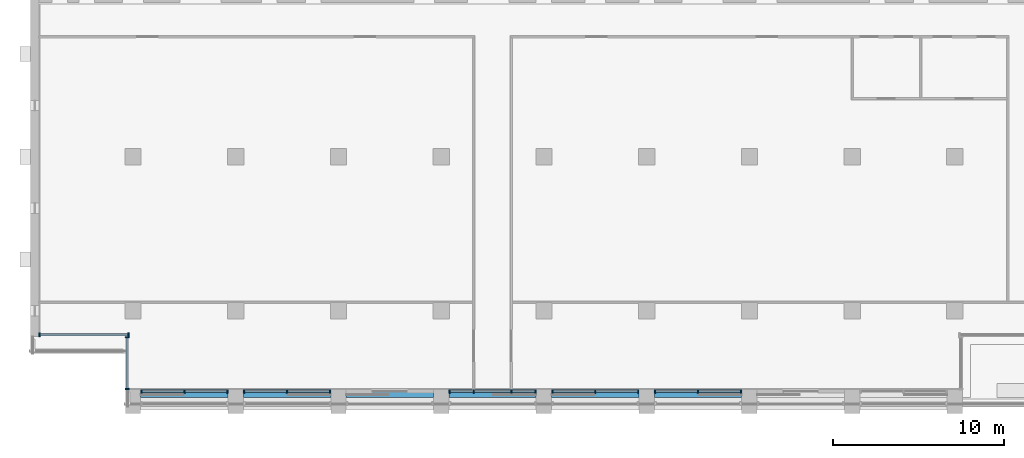
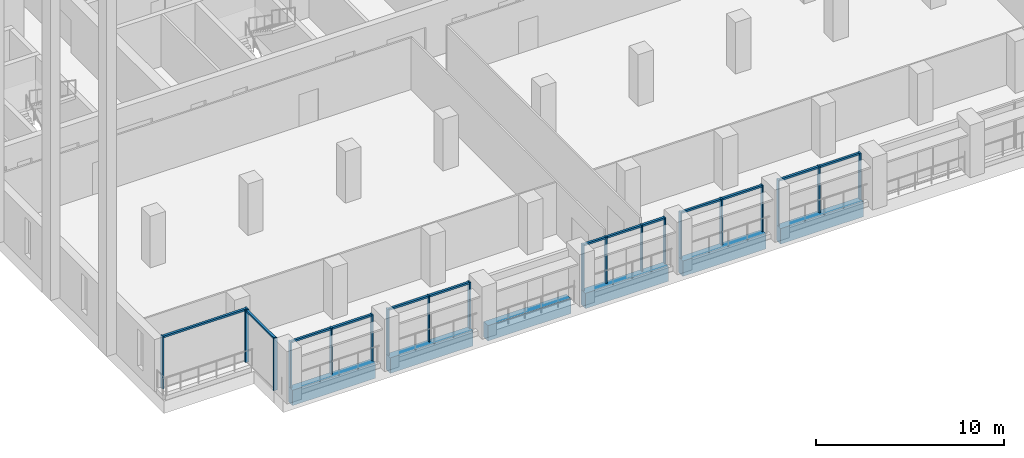
# One storey, part 2 of 16: 33 members, 6 beams, 7 elements without a shape of their own.
"""IFC4 building model written with IfcOpenShell, lengths in metres."""

from ifc_helpers import new_model, si_unit, direction, frame, origin, origin_2d, place, context, subcontext, project, spatial, rectangle, extrude, material, material_profile, profile_set, type_object, element, aggregate, save


model = new_model("IFC4")

# Units and contexts
model_context = context("Model", 3, precision=1e-05, world=origin(), true_north=direction((0.0, 1.0)))
body_context = subcontext(model_context, "Body", "Model", "MODEL_VIEW")
ifc_project = project(units=[si_unit("LENGTHUNIT", "METRE"), si_unit("AREAUNIT", "SQUARE_METRE"), si_unit("VOLUMEUNIT", "CUBIC_METRE"), si_unit("PLANEANGLEUNIT", "RADIAN"), si_unit("MASSUNIT", "GRAM", prefix="KILO")], contexts=[model_context])

# Site, building, storey
site_placement = place(None, origin())
site = spatial("IfcSite", under=ifc_project, at=site_placement, CompositionType="ELEMENT")
building_placement = place(site_placement, origin())
building = spatial("IfcBuilding", under=site, at=building_placement, Name="Calvaro Tower", CompositionType="ELEMENT")
storey_placement = place(building_placement, frame((0.0, 0.0, 231.75)))
storey = spatial("IfcBuildingStorey", under=building, at=storey_placement, Name="L58", CompositionType="ELEMENT", Elevation=231.75)

# Curtain wall, members
ifc_material_1 = material(Name="Anodised aluminium", Category="aluminium")
curtain_wall_type = type_object("IfcCurtainWallType", Name="Executive curtain wall", PredefinedType="NOTDEFINED", material=ifc_material_1)
curtain_wall_1_placement = place(storey_placement, origin())
curtain_wall_1 = element("IfcCurtainWall", 1, at=curtain_wall_1_placement, inside=storey, type_object=curtain_wall_type, Name="CW4 south curtain wall", PredefinedType="NOTDEFINED")
ifc_material_2 = material(Name="Anodised aluminium", Category="aluminium")
ifc_material_profile_1 = material_profile(ifc_material_2, rectangle(XDim=0.219970703125, YDim=0.080078125, at=origin_2d()), Name="Mullion S4 80 x 220")
ifc_profile_set_1 = profile_set([ifc_material_profile_1], Name="Anodised aluminium")
member_type_1 = type_object("IfcMemberType", Name="Mullion S4 80 x 220", PredefinedType="MULLION", material=ifc_profile_set_1)
member_1_placement = place(storey_placement, frame((12.489990234375, 5.2900390625, 0.0), z_axis=(0.0, 0.0, 1.0), x_axis=(0.0, 1.0, 0.0)))
member_1 = element("IfcMember", 2, at=member_1_placement, type_object=member_type_1, Name="CW4 mullion 1", PredefinedType="MULLION", context=body_context, shape_type="SweptSolid", body=[
    extrude(rectangle(XDim=0.219970703125, YDim=0.080078125, at=origin_2d()), origin(), (0.0, 0.0, 1.0), 3.0),
])
member_2_placement = place(storey_placement, frame((15.0, 5.2900390625, 0.0), z_axis=(0.0, 0.0, 1.0), x_axis=(0.0, 1.0, 0.0)))
member_2 = element("IfcMember", 3, at=member_2_placement, type_object=member_type_1, Name="CW4 mullion 2", PredefinedType="MULLION", context=body_context, shape_type="SweptSolid", body=[
    extrude(rectangle(XDim=0.219970703125, YDim=0.080078125, at=origin_2d()), origin(), (0.0, 0.0, 1.0), 3.0),
])
member_3_placement = place(storey_placement, frame((17.510009765625, 5.2900390625, 0.0), z_axis=(0.0, 0.0, 1.0), x_axis=(0.0, 1.0, 0.0)))
member_3 = element("IfcMember", 4, at=member_3_placement, type_object=member_type_1, Name="CW4 mullion 3", PredefinedType="MULLION", context=body_context, shape_type="SweptSolid", body=[
    extrude(rectangle(XDim=0.219970703125, YDim=0.080078125, at=origin_2d()), origin(), (0.0, 0.0, 1.0), 3.0),
])

curtain_wall_2_placement = place(storey_placement, origin())
curtain_wall_2 = element("IfcCurtainWall", 5, at=curtain_wall_2_placement, inside=storey, type_object=curtain_wall_type, Name="CW4 south curtain wall", PredefinedType="NOTDEFINED")
member_4_placement = place(storey_placement, frame((18.489990234375, 5.2900390625, 0.0), z_axis=(0.0, 0.0, 1.0), x_axis=(0.0, 1.0, 0.0)))
member_4 = element("IfcMember", 6, at=member_4_placement, type_object=member_type_1, Name="CW4 mullion 1", PredefinedType="MULLION", context=body_context, shape_type="SweptSolid", body=[
    extrude(rectangle(XDim=0.219970703125, YDim=0.080078125, at=origin_2d()), origin(), (0.0, 0.0, 1.0), 3.0),
])
member_5_placement = place(storey_placement, frame((21.0, 5.2900390625, 0.0), z_axis=(0.0, 0.0, 1.0), x_axis=(0.0, 1.0, 0.0)))
member_5 = element("IfcMember", 7, at=member_5_placement, type_object=member_type_1, Name="CW4 mullion 2", PredefinedType="MULLION", context=body_context, shape_type="SweptSolid", body=[
    extrude(rectangle(XDim=0.219970703125, YDim=0.080078125, at=origin_2d()), origin(), (0.0, 0.0, 1.0), 3.0),
])
member_6_placement = place(storey_placement, frame((23.510009765625, 5.2900390625, 0.0), z_axis=(0.0, 0.0, 1.0), x_axis=(0.0, 1.0, 0.0)))
member_6 = element("IfcMember", 8, at=member_6_placement, type_object=member_type_1, Name="CW4 mullion 3", PredefinedType="MULLION", context=body_context, shape_type="SweptSolid", body=[
    extrude(rectangle(XDim=0.219970703125, YDim=0.080078125, at=origin_2d()), origin(), (0.0, 0.0, 1.0), 3.0),
])

curtain_wall_3_placement = place(storey_placement, origin())
curtain_wall_3 = element("IfcCurtainWall", 9, at=curtain_wall_3_placement, inside=storey, type_object=curtain_wall_type, Name="CW4 south curtain wall", PredefinedType="NOTDEFINED")
member_7_placement = place(storey_placement, frame((30.489990234375, 5.2900390625, 0.0), z_axis=(0.0, 0.0, 1.0), x_axis=(0.0, 1.0, 0.0)))
member_7 = element("IfcMember", 10, at=member_7_placement, type_object=member_type_1, Name="CW4 mullion 1", PredefinedType="MULLION", context=body_context, shape_type="SweptSolid", body=[
    extrude(rectangle(XDim=0.219970703125, YDim=0.080078125, at=origin_2d()), origin(), (0.0, 0.0, 1.0), 3.0),
])
member_8_placement = place(storey_placement, frame((31.89990234375, 5.2900390625, 0.0), z_axis=(0.0, 0.0, 1.0), x_axis=(0.0, 1.0, 0.0)))
member_8 = element("IfcMember", 11, at=member_8_placement, type_object=member_type_1, Name="CW4 mullion 2", PredefinedType="MULLION", context=body_context, shape_type="SweptSolid", body=[
    extrude(rectangle(XDim=0.219970703125, YDim=0.080078125, at=origin_2d()), origin(), (0.0, 0.0, 1.0), 3.0),
])
member_9_placement = place(storey_placement, frame((34.10009765625, 5.2900390625, 0.0), z_axis=(0.0, 0.0, 1.0), x_axis=(0.0, 1.0, 0.0)))
member_9 = element("IfcMember", 12, at=member_9_placement, type_object=member_type_1, Name="CW4 mullion 3", PredefinedType="MULLION", context=body_context, shape_type="SweptSolid", body=[
    extrude(rectangle(XDim=0.219970703125, YDim=0.080078125, at=origin_2d()), origin(), (0.0, 0.0, 1.0), 3.0),
])
member_10_placement = place(storey_placement, frame((35.510009765625, 5.2900390625, 0.0), z_axis=(0.0, 0.0, 1.0), x_axis=(0.0, 1.0, 0.0)))
member_10 = element("IfcMember", 13, at=member_10_placement, type_object=member_type_1, Name="CW4 mullion 4", PredefinedType="MULLION", context=body_context, shape_type="SweptSolid", body=[
    extrude(rectangle(XDim=0.219970703125, YDim=0.080078125, at=origin_2d()), origin(), (0.0, 0.0, 1.0), 3.0),
])

curtain_wall_4_placement = place(storey_placement, origin())
curtain_wall_4 = element("IfcCurtainWall", 14, at=curtain_wall_4_placement, inside=storey, type_object=curtain_wall_type, Name="CW4 south curtain wall", PredefinedType="NOTDEFINED")
member_11_placement = place(storey_placement, frame((36.489990234375, 5.2900390625, 0.0), z_axis=(0.0, 0.0, 1.0), x_axis=(0.0, 1.0, 0.0)))
member_11 = element("IfcMember", 15, at=member_11_placement, type_object=member_type_1, Name="CW4 mullion 1", PredefinedType="MULLION", context=body_context, shape_type="SweptSolid", body=[
    extrude(rectangle(XDim=0.219970703125, YDim=0.080078125, at=origin_2d()), origin(), (0.0, 0.0, 1.0), 3.0),
])
member_12_placement = place(storey_placement, frame((39.0, 5.2900390625, 0.0), z_axis=(0.0, 0.0, 1.0), x_axis=(0.0, 1.0, 0.0)))
member_12 = element("IfcMember", 16, at=member_12_placement, type_object=member_type_1, Name="CW4 mullion 2", PredefinedType="MULLION", context=body_context, shape_type="SweptSolid", body=[
    extrude(rectangle(XDim=0.219970703125, YDim=0.080078125, at=origin_2d()), origin(), (0.0, 0.0, 1.0), 3.0),
])
member_13_placement = place(storey_placement, frame((41.510009765625, 5.2900390625, 0.0), z_axis=(0.0, 0.0, 1.0), x_axis=(0.0, 1.0, 0.0)))
member_13 = element("IfcMember", 17, at=member_13_placement, type_object=member_type_1, Name="CW4 mullion 3", PredefinedType="MULLION", context=body_context, shape_type="SweptSolid", body=[
    extrude(rectangle(XDim=0.219970703125, YDim=0.080078125, at=origin_2d()), origin(), (0.0, 0.0, 1.0), 3.0),
])

curtain_wall_5_placement = place(storey_placement, origin())
curtain_wall_5 = element("IfcCurtainWall", 18, at=curtain_wall_5_placement, inside=storey, type_object=curtain_wall_type, Name="CW4 south curtain wall", PredefinedType="NOTDEFINED")
member_14_placement = place(storey_placement, frame((42.489990234375, 5.2900390625, 0.0), z_axis=(0.0, 0.0, 1.0), x_axis=(0.0, 1.0, 0.0)))
member_14 = element("IfcMember", 19, at=member_14_placement, type_object=member_type_1, Name="CW4 mullion 1", PredefinedType="MULLION", context=body_context, shape_type="SweptSolid", body=[
    extrude(rectangle(XDim=0.219970703125, YDim=0.080078125, at=origin_2d()), origin(), (0.0, 0.0, 1.0), 3.0),
])
member_15_placement = place(storey_placement, frame((45.0, 5.2900390625, 0.0), z_axis=(0.0, 0.0, 1.0), x_axis=(0.0, 1.0, 0.0)))
member_15 = element("IfcMember", 20, at=member_15_placement, type_object=member_type_1, Name="CW4 mullion 2", PredefinedType="MULLION", context=body_context, shape_type="SweptSolid", body=[
    extrude(rectangle(XDim=0.219970703125, YDim=0.080078125, at=origin_2d()), origin(), (0.0, 0.0, 1.0), 3.0),
])
member_16_placement = place(storey_placement, frame((47.510009765625, 5.2900390625, 0.0), z_axis=(0.0, 0.0, 1.0), x_axis=(0.0, 1.0, 0.0)))
member_16 = element("IfcMember", 21, at=member_16_placement, type_object=member_type_1, Name="CW4 mullion 3", PredefinedType="MULLION", context=body_context, shape_type="SweptSolid", body=[
    extrude(rectangle(XDim=0.219970703125, YDim=0.080078125, at=origin_2d()), origin(), (0.0, 0.0, 1.0), 3.0),
])

curtain_wall_6_placement = place(storey_placement, origin())
curtain_wall_6 = element("IfcCurtainWall", 22, at=curtain_wall_6_placement, inside=storey, type_object=curtain_wall_type, Name="CW4 corner curtain wall", PredefinedType="NOTDEFINED")
member_17_placement = place(storey_placement, frame((11.659912109375, 5.43994140625, 0.0), z_axis=(0.0, 0.0, 1.0), x_axis=(-1.0, 0.0, 0.0)))
member_17 = element("IfcMember", 23, at=member_17_placement, type_object=member_type_1, Name="CW4 mullion 1", PredefinedType="MULLION", context=body_context, shape_type="SweptSolid", body=[
    extrude(rectangle(XDim=0.219970703125, YDim=0.080078125, at=origin_2d()), origin(), (0.0, 0.0, 1.0), 3.39990234375),
])
member_18_placement = place(storey_placement, frame((11.659912109375, 8.4599609375, 0.0), z_axis=(0.0, 0.0, 1.0), x_axis=(-1.0, 0.0, 0.0)))
member_18 = element("IfcMember", 24, at=member_18_placement, type_object=member_type_1, Name="CW4 mullion 2", PredefinedType="MULLION", context=body_context, shape_type="SweptSolid", body=[
    extrude(rectangle(XDim=0.219970703125, YDim=0.080078125, at=origin_2d()), origin(), (0.0, 0.0, 1.0), 3.39990234375),
])

curtain_wall_7_placement = place(storey_placement, origin())
curtain_wall_7 = element("IfcCurtainWall", 25, at=curtain_wall_7_placement, inside=storey, type_object=curtain_wall_type, Name="CW4 corner curtain wall", PredefinedType="NOTDEFINED")
member_19_placement = place(storey_placement, frame((6.5400390625, 8.610107421875, 0.0), z_axis=(0.0, 0.0, 1.0), x_axis=(0.0, 1.0, 0.0)))
member_19 = element("IfcMember", 26, at=member_19_placement, type_object=member_type_1, Name="CW4 mullion 1", PredefinedType="MULLION", context=body_context, shape_type="SweptSolid", body=[
    extrude(rectangle(XDim=0.219970703125, YDim=0.080078125, at=origin_2d()), origin(), (0.0, 0.0, 1.0), 3.39990234375),
])
member_20_placement = place(storey_placement, frame((11.72998046875, 8.610107421875, 0.0), z_axis=(0.0, 0.0, 1.0), x_axis=(0.0, 1.0, 0.0)))
member_20 = element("IfcMember", 27, at=member_20_placement, type_object=member_type_1, Name="CW4 mullion 2", PredefinedType="MULLION", context=body_context, shape_type="SweptSolid", body=[
    extrude(rectangle(XDim=0.219970703125, YDim=0.080078125, at=origin_2d()), origin(), (0.0, 0.0, 1.0), 3.39990234375),
])

# Beams
ifc_material_3 = material(Name="Concrete C50/60 precast", Category="concrete")
ifc_material_profile_2 = material_profile(ifc_material_3, rectangle(XDim=0.449951171875, YDim=1.0, at=origin_2d()), Name="RC 450x1000")
ifc_profile_set_2 = profile_set([ifc_material_profile_2], Name="Concrete C50/60 precast")
beam_type = type_object("IfcBeamType", Name="Spandrel beam 450x1000 C50/60", PredefinedType="SPANDREL", material=ifc_profile_set_2)
for number, where, z_axis, x_axis, name in (
    (28, (12.449951171875, 5.175048828125, -0.5), (1.0, 0.0, 0.0), (0.0, 1.0, 0.0), "Spandrel beam"),
    (29, (18.449951171875, 5.175048828125, -0.5), (1.0, 0.0, 0.0), (0.0, 1.0, 0.0), "Spandrel beam"),
    (30, (24.449951171875, 5.175048828125, -0.5), (1.0, 0.0, 0.0), (0.0, 1.0, 0.0), "Spandrel beam"),
    (31, (30.449951171875, 5.175048828125, -0.5), (1.0, 0.0, 0.0), (0.0, 1.0, 0.0), "Spandrel beam"),
    (32, (36.449951171875, 5.175048828125, -0.5), (1.0, 0.0, 0.0), (0.0, 1.0, 0.0), "Spandrel beam"),
    (33, (42.449951171875, 5.175048828125, -0.5), (1.0, 0.0, 0.0), (0.0, 1.0, 0.0), "Spandrel beam"),
):
    element("IfcBeam", number, at=place(storey_placement, frame(where, z_axis=z_axis, x_axis=x_axis)), inside=storey, type_object=beam_type, Name=name, PredefinedType="SPANDREL", context=body_context, shape_type="SweptSolid", body=[
        extrude(rectangle(XDim=0.449951171875, YDim=1.0, at=origin_2d()), origin(), (0.0, 0.0, 1.0), 5.10009765625),
    ])

# Member
ifc_material_4 = material(Name="Anodised aluminium", Category="aluminium")
ifc_material_profile_3 = material_profile(ifc_material_4, rectangle(XDim=0.139892578125, YDim=0.1201171875, at=origin_2d()), Name="Transom S4 120 x 140")
ifc_profile_set_3 = profile_set([ifc_material_profile_3], Name="Anodised aluminium")
member_type_2 = type_object("IfcMemberType", Name="Transom S4 120 x 140", PredefinedType="USERDEFINED", material=ifc_profile_set_3)
member_21_placement = place(storey_placement, frame((12.530029296875, 5.2900390625, 2.93994140625), z_axis=(1.0, 0.0, 0.0), x_axis=(0.0, 1.0, 0.0)))
member_21 = element("IfcMember", 34, at=member_21_placement, type_object=member_type_2, Name="CW4 transom 1.1", ObjectType="TRANSOM", PredefinedType="USERDEFINED", context=body_context, shape_type="SweptSolid", body=[
    extrude(rectangle(XDim=0.139892578125, YDim=0.1201171875, at=origin_2d()), origin(), (0.0, 0.0, 1.0), 2.429931640625),
])

member_22_placement = place(storey_placement, frame((15.0400390625, 5.2900390625, 2.93994140625), z_axis=(1.0, 0.0, 0.0), x_axis=(0.0, 1.0, 0.0)))
member_22 = element("IfcMember", 35, at=member_22_placement, type_object=member_type_2, Name="CW4 transom 2.1", ObjectType="TRANSOM", PredefinedType="USERDEFINED", context=body_context, shape_type="SweptSolid", body=[
    extrude(rectangle(XDim=0.139892578125, YDim=0.1201171875, at=origin_2d()), origin(), (0.0, 0.0, 1.0), 2.429931640625),
])

aggregate(curtain_wall_1, [member_1, member_2, member_3, member_21, member_22])

member_23_placement = place(storey_placement, frame((18.530029296875, 5.2900390625, 2.93994140625), z_axis=(1.0, 0.0, 0.0), x_axis=(0.0, 1.0, 0.0)))
member_23 = element("IfcMember", 36, at=member_23_placement, type_object=member_type_2, Name="CW4 transom 1.1", ObjectType="TRANSOM", PredefinedType="USERDEFINED", context=body_context, shape_type="SweptSolid", body=[
    extrude(rectangle(XDim=0.139892578125, YDim=0.1201171875, at=origin_2d()), origin(), (0.0, 0.0, 1.0), 2.429931640625),
])

member_24_placement = place(storey_placement, frame((21.0400390625, 5.2900390625, 2.93994140625), z_axis=(1.0, 0.0, 0.0), x_axis=(0.0, 1.0, 0.0)))
member_24 = element("IfcMember", 37, at=member_24_placement, type_object=member_type_2, Name="CW4 transom 2.1", ObjectType="TRANSOM", PredefinedType="USERDEFINED", context=body_context, shape_type="SweptSolid", body=[
    extrude(rectangle(XDim=0.139892578125, YDim=0.1201171875, at=origin_2d()), origin(), (0.0, 0.0, 1.0), 2.429931640625),
])

aggregate(curtain_wall_2, [member_4, member_5, member_6, member_23, member_24])

member_25_placement = place(storey_placement, frame((30.530029296875, 5.2900390625, 2.93994140625), z_axis=(1.0, 0.0, 0.0), x_axis=(0.0, 1.0, 0.0)))
member_25 = element("IfcMember", 38, at=member_25_placement, type_object=member_type_2, Name="CW4 transom 1.1", ObjectType="TRANSOM", PredefinedType="USERDEFINED", context=body_context, shape_type="SweptSolid", body=[
    extrude(rectangle(XDim=0.139892578125, YDim=0.1201171875, at=origin_2d()), origin(), (0.0, 0.0, 1.0), 1.330078125),
])

member_26_placement = place(storey_placement, frame((31.93994140625, 5.2900390625, 2.93994140625), z_axis=(1.0, 0.0, 0.0), x_axis=(0.0, 1.0, 0.0)))
member_26 = element("IfcMember", 39, at=member_26_placement, type_object=member_type_2, Name="CW4 transom 2.1", ObjectType="TRANSOM", PredefinedType="USERDEFINED", context=body_context, shape_type="SweptSolid", body=[
    extrude(rectangle(XDim=0.139892578125, YDim=0.1201171875, at=origin_2d()), origin(), (0.0, 0.0, 1.0), 2.1201171875),
])

member_27_placement = place(storey_placement, frame((34.139892578125, 5.2900390625, 2.93994140625), z_axis=(1.0, 0.0, 0.0), x_axis=(0.0, 1.0, 0.0)))
member_27 = element("IfcMember", 40, at=member_27_placement, type_object=member_type_2, Name="CW4 transom 3.1", ObjectType="TRANSOM", PredefinedType="USERDEFINED", context=body_context, shape_type="SweptSolid", body=[
    extrude(rectangle(XDim=0.139892578125, YDim=0.1201171875, at=origin_2d()), origin(), (0.0, 0.0, 1.0), 1.330078125),
])

aggregate(curtain_wall_3, [member_7, member_8, member_9, member_10, member_25, member_26, member_27])

member_28_placement = place(storey_placement, frame((36.530029296875, 5.2900390625, 2.93994140625), z_axis=(1.0, 0.0, 0.0), x_axis=(0.0, 1.0, 0.0)))
member_28 = element("IfcMember", 41, at=member_28_placement, type_object=member_type_2, Name="CW4 transom 1.1", ObjectType="TRANSOM", PredefinedType="USERDEFINED", context=body_context, shape_type="SweptSolid", body=[
    extrude(rectangle(XDim=0.139892578125, YDim=0.1201171875, at=origin_2d()), origin(), (0.0, 0.0, 1.0), 2.429931640625),
])

member_29_placement = place(storey_placement, frame((39.0400390625, 5.2900390625, 2.93994140625), z_axis=(1.0, 0.0, 0.0), x_axis=(0.0, 1.0, 0.0)))
member_29 = element("IfcMember", 42, at=member_29_placement, type_object=member_type_2, Name="CW4 transom 2.1", ObjectType="TRANSOM", PredefinedType="USERDEFINED", context=body_context, shape_type="SweptSolid", body=[
    extrude(rectangle(XDim=0.139892578125, YDim=0.1201171875, at=origin_2d()), origin(), (0.0, 0.0, 1.0), 2.429931640625),
])

aggregate(curtain_wall_4, [member_11, member_12, member_13, member_28, member_29])

member_30_placement = place(storey_placement, frame((42.530029296875, 5.2900390625, 2.93994140625), z_axis=(1.0, 0.0, 0.0), x_axis=(0.0, 1.0, 0.0)))
member_30 = element("IfcMember", 43, at=member_30_placement, type_object=member_type_2, Name="CW4 transom 1.1", ObjectType="TRANSOM", PredefinedType="USERDEFINED", context=body_context, shape_type="SweptSolid", body=[
    extrude(rectangle(XDim=0.139892578125, YDim=0.1201171875, at=origin_2d()), origin(), (0.0, 0.0, 1.0), 2.429931640625),
])

member_31_placement = place(storey_placement, frame((45.0400390625, 5.2900390625, 2.93994140625), z_axis=(1.0, 0.0, 0.0), x_axis=(0.0, 1.0, 0.0)))
member_31 = element("IfcMember", 44, at=member_31_placement, type_object=member_type_2, Name="CW4 transom 2.1", ObjectType="TRANSOM", PredefinedType="USERDEFINED", context=body_context, shape_type="SweptSolid", body=[
    extrude(rectangle(XDim=0.139892578125, YDim=0.1201171875, at=origin_2d()), origin(), (0.0, 0.0, 1.0), 2.429931640625),
])

aggregate(curtain_wall_5, [member_14, member_15, member_16, member_30, member_31])

member_32_placement = place(storey_placement, frame((11.659912109375, 5.47998046875, 3.340087890625), z_axis=(0.0, 1.0, 0.0), x_axis=(-1.0, 0.0, 0.0)))
member_32 = element("IfcMember", 45, at=member_32_placement, type_object=member_type_2, Name="CW4 transom 1.1", ObjectType="TRANSOM", PredefinedType="USERDEFINED", context=body_context, shape_type="SweptSolid", body=[
    extrude(rectangle(XDim=0.139892578125, YDim=0.1201171875, at=origin_2d()), origin(), (0.0, 0.0, 1.0), 2.93994140625),
])

aggregate(curtain_wall_6, [member_17, member_18, member_32])

member_33_placement = place(storey_placement, frame((6.580078125, 8.610107421875, 3.340087890625), z_axis=(1.0, 0.0, 0.0), x_axis=(0.0, 1.0, 0.0)))
member_33 = element("IfcMember", 46, at=member_33_placement, type_object=member_type_2, Name="CW4 transom 1.1", ObjectType="TRANSOM", PredefinedType="USERDEFINED", context=body_context, shape_type="SweptSolid", body=[
    extrude(rectangle(XDim=0.139892578125, YDim=0.1201171875, at=origin_2d()), origin(), (0.0, 0.0, 1.0), 5.10986328125),
])

aggregate(curtain_wall_7, [member_19, member_20, member_33])

save(model, "model.ifc")
